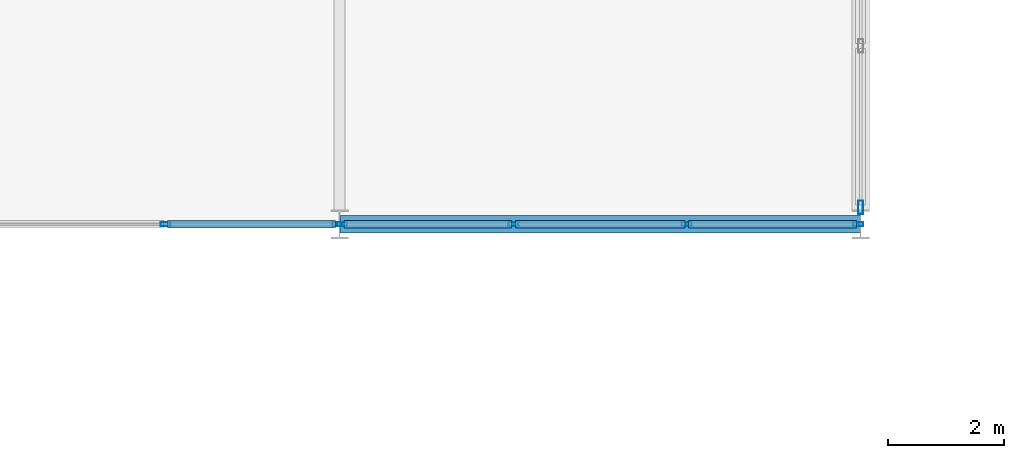
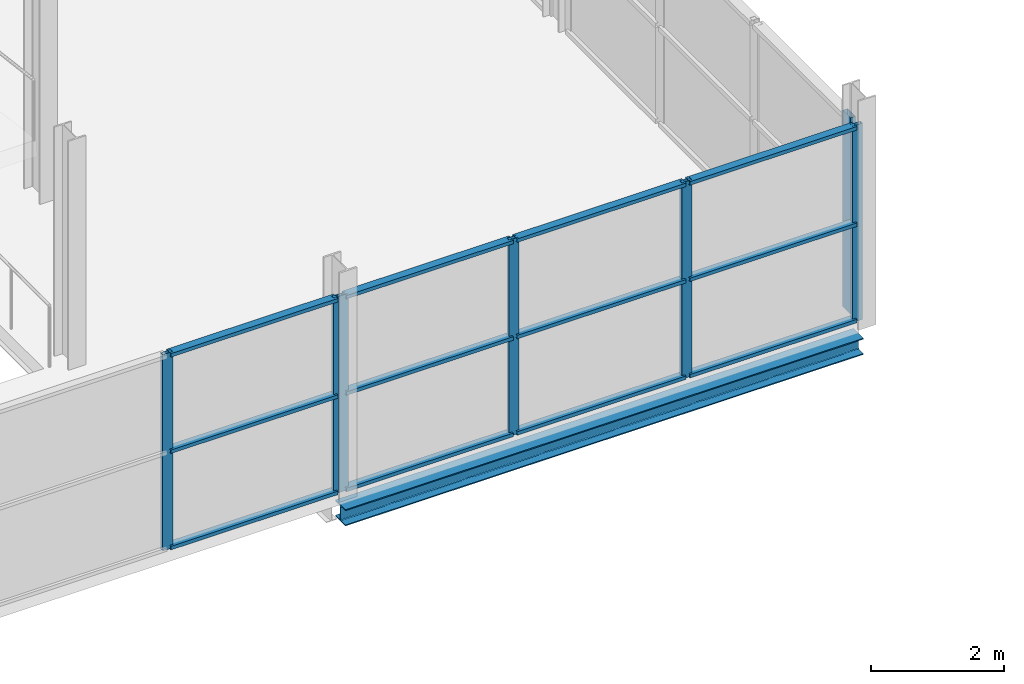
# One storey, part 59 of 132: 19 members, 1 beam, 3 elements without a shape of their own.
"""IFC4 building model written with IfcOpenShell, lengths in metres."""

from ifc_helpers import new_model, si_unit, direction, frame, origin, origin_2d, place, context, subcontext, project, spatial, hollow_rectangle, i_section, extrude, material, layer, layer_set, material_profile, profile_set, type_object, element, aggregate, save


model = new_model("IFC4")

# Units and contexts
model_context = context("Model", 3, precision=1e-05, world=origin(), true_north=direction((0.0, 1.0)))
body_context = subcontext(model_context, "Body", "Model", "MODEL_VIEW")
ifc_project = project(units=[si_unit("LENGTHUNIT", "METRE"), si_unit("AREAUNIT", "SQUARE_METRE"), si_unit("VOLUMEUNIT", "CUBIC_METRE"), si_unit("PLANEANGLEUNIT", "RADIAN"), si_unit("MASSUNIT", "GRAM", prefix="KILO")], contexts=[model_context])

# Site, building, storey
site_placement = place(None, origin())
site = spatial("IfcSite", under=ifc_project, at=site_placement, CompositionType="ELEMENT")
building_placement = place(site_placement, origin())
building = spatial("IfcBuilding", under=site, at=building_placement, Name="Deido Ridge Mobility Hub", CompositionType="ELEMENT")
storey_placement = place(building_placement, frame((0.0, 0.0, 8.39990234375)))
storey = spatial("IfcBuildingStorey", under=building, at=storey_placement, Name="L02", CompositionType="ELEMENT", Elevation=8.39990234375)

# Curtain wall, members
ifc_material_1 = material(Name="Anodised aluminium EN AW-6063 T6", Category="aluminium")
ifc_layer_1 = layer(ifc_material_1, 0.16796875, Name="Anodised aluminium EN AW-6063 T6")
ifc_layer_set_1 = layer_set([ifc_layer_1], Name="Anodised aluminium EN AW-6063 T6")
curtain_wall_type_1 = type_object("IfcCurtainWallType", Name="CW-GS-4", PredefinedType="USERDEFINED", material=ifc_layer_set_1)
curtain_wall_1_placement = place(storey_placement, origin())
curtain_wall_1 = element("IfcCurtainWall", 1, at=curtain_wall_1_placement, inside=storey, type_object=curtain_wall_type_1, Name="Unitised curtain wall GS4", ObjectType="GLAZED SCREEN", PredefinedType="USERDEFINED")
ifc_material_profile_1 = material_profile(ifc_material_1, hollow_rectangle(XDim=0.06494140625, YDim=0.175048828125, WallThickness=0.00390625, at=origin_2d()), Name="RHS 65x175x4")
ifc_profile_set_1 = profile_set([ifc_material_profile_1], Name="Anodised aluminium EN AW-6063 T6")
member_type_1 = type_object("IfcMemberType", Name="MEM-MUL-65X175", PredefinedType="MULLION", material=ifc_profile_set_1)
member_1_placement = place(storey_placement, frame((95.9951171875, 45.0, 0.0), z_axis=(0.0, 0.0, 1.0), x_axis=(0.0, 1.0, 0.0)))
member_1 = element("IfcMember", 2, at=member_1_placement, type_object=member_type_1, Name="GS4 mullion 6", PredefinedType="MULLION", context=body_context, shape_type="SweptSolid", body=[
    extrude(hollow_rectangle(XDim=0.06494140625, YDim=0.175048828125, WallThickness=0.00390625, at=origin_2d()), origin(), (0.0, 0.0, 1.0), 3.60009765625),
])
member_2_placement = place(storey_placement, frame((98.960205078125, 45.0, 0.0), z_axis=(0.0, 0.0, 1.0), x_axis=(0.0, 1.0, 0.0)))
member_2 = element("IfcMember", 3, at=member_2_placement, type_object=member_type_1, Name="GS4 mullion 7", PredefinedType="MULLION", context=body_context, shape_type="SweptSolid", body=[
    extrude(hollow_rectangle(XDim=0.06494140625, YDim=0.175048828125, WallThickness=0.00390625, at=origin_2d()), origin(), (0.0, 0.0, 1.0), 3.60009765625),
])

curtain_wall_2_placement = place(storey_placement, origin())
curtain_wall_2 = element("IfcCurtainWall", 4, at=curtain_wall_2_placement, inside=storey, type_object=curtain_wall_type_1, Name="Unitised curtain wall GS4", ObjectType="GLAZED SCREEN", PredefinedType="USERDEFINED")
member_3_placement = place(storey_placement, frame((99.039794921875, 45.0, 0.0), z_axis=(0.0, 0.0, 1.0), x_axis=(0.0, 1.0, 0.0)))
member_3 = element("IfcMember", 5, at=member_3_placement, type_object=member_type_1, Name="GS4 mullion 1", PredefinedType="MULLION", context=body_context, shape_type="SweptSolid", body=[
    extrude(hollow_rectangle(XDim=0.06494140625, YDim=0.175048828125, WallThickness=0.00390625, at=origin_2d()), origin(), (0.0, 0.0, 1.0), 3.60009765625),
])
member_4_placement = place(storey_placement, frame((102.00244140625, 45.0, 0.0), z_axis=(0.0, 0.0, 1.0), x_axis=(0.0, 1.0, 0.0)))
member_4 = element("IfcMember", 6, at=member_4_placement, type_object=member_type_1, Name="GS4 mullion 2", PredefinedType="MULLION", context=body_context, shape_type="SweptSolid", body=[
    extrude(hollow_rectangle(XDim=0.06494140625, YDim=0.175048828125, WallThickness=0.00390625, at=origin_2d()), origin(), (0.0, 0.0, 1.0), 3.60009765625),
])
member_5_placement = place(storey_placement, frame((104.99755859375, 45.0, 0.0), z_axis=(0.0, 0.0, 1.0), x_axis=(0.0, 1.0, 0.0)))
member_5 = element("IfcMember", 7, at=member_5_placement, type_object=member_type_1, Name="GS4 mullion 3", PredefinedType="MULLION", context=body_context, shape_type="SweptSolid", body=[
    extrude(hollow_rectangle(XDim=0.06494140625, YDim=0.175048828125, WallThickness=0.00390625, at=origin_2d()), origin(), (0.0, 0.0, 1.0), 3.60009765625),
])
member_6_placement = place(storey_placement, frame((107.960205078125, 45.0, 0.0), z_axis=(0.0, 0.0, 1.0), x_axis=(0.0, 1.0, 0.0)))
member_6 = element("IfcMember", 8, at=member_6_placement, type_object=member_type_1, Name="GS4 mullion 4", PredefinedType="MULLION", context=body_context, shape_type="SweptSolid", body=[
    extrude(hollow_rectangle(XDim=0.06494140625, YDim=0.175048828125, WallThickness=0.00390625, at=origin_2d()), origin(), (0.0, 0.0, 1.0), 3.60009765625),
])

# Curtain wall, member
ifc_layer_2 = layer(ifc_material_1, 0.239990234375, Name="Anodised aluminium EN AW-6063 T6")
ifc_layer_set_2 = layer_set([ifc_layer_2], Name="Anodised aluminium EN AW-6063 T6")
curtain_wall_type_2 = type_object("IfcCurtainWallType", Name="CW-UF-6", PredefinedType="USERDEFINED", material=ifc_layer_set_2)
curtain_wall_3_placement = place(storey_placement, origin())
curtain_wall_3 = element("IfcCurtainWall", 9, at=curtain_wall_3_placement, inside=storey, type_object=curtain_wall_type_2, Name="Unitised curtain wall CW6", ObjectType="UNITISED FACADE", PredefinedType="USERDEFINED")
ifc_material_profile_2 = material_profile(ifc_material_1, hollow_rectangle(XDim=0.0849609375, YDim=0.235107421875, WallThickness=0.00390625, at=origin_2d()), Name="RHS 85x235x4")
ifc_profile_set_2 = profile_set([ifc_material_profile_2], Name="Anodised aluminium EN AW-6063 T6")
member_type_2 = type_object("IfcMemberType", Name="MEM-MUL-85X235", PredefinedType="MULLION", material=ifc_profile_set_2)
member_7_placement = place(storey_placement, frame((108.0, 45.29248046875, 0.0), z_axis=(0.0, 0.0, 1.0), x_axis=(-1.0, 0.0, 0.0)))
member_7 = element("IfcMember", 10, at=member_7_placement, type_object=member_type_2, Name="CW6 mullion 1", PredefinedType="MULLION", context=body_context, shape_type="SweptSolid", body=[
    extrude(hollow_rectangle(XDim=0.0849609375, YDim=0.235107421875, WallThickness=0.00390625, at=origin_2d()), origin(), (0.0, 0.0, 1.0), 3.60009765625),
])
aggregate(curtain_wall_3, [member_7])

# Member
ifc_material_profile_3 = material_profile(ifc_material_1, hollow_rectangle(XDim=0.135009765625, YDim=0.06494140625, WallThickness=0.00390625, at=origin_2d()), Name="RHS 135x65x4")
ifc_profile_set_3 = profile_set([ifc_material_profile_3], Name="Anodised aluminium EN AW-6063 T6")
member_type_3 = type_object("IfcMemberType", Name="MEM-TRN-135X65", PredefinedType="USERDEFINED", material=ifc_profile_set_3)
member_8_placement = place(storey_placement, frame((96.027587890625, 45.0, 0.03271484375), z_axis=(1.0, 0.0, 0.0), x_axis=(0.0, 1.0, 0.0)))
member_8 = element("IfcMember", 11, at=member_8_placement, type_object=member_type_3, Name="GS4 transom 6.1", ObjectType="TRANSOM", PredefinedType="USERDEFINED", context=body_context, shape_type="SweptSolid", body=[
    extrude(hollow_rectangle(XDim=0.135009765625, YDim=0.06494140625, WallThickness=0.00390625, at=origin_2d()), origin(), (0.0, 0.0, 1.0), 2.900146484375),
])

member_9_placement = place(storey_placement, frame((96.027587890625, 45.0, 1.800048828125), z_axis=(1.0, 0.0, 0.0), x_axis=(0.0, 1.0, 0.0)))
member_9 = element("IfcMember", 12, at=member_9_placement, type_object=member_type_3, Name="GS4 transom 6.2", ObjectType="TRANSOM", PredefinedType="USERDEFINED", context=body_context, shape_type="SweptSolid", body=[
    extrude(hollow_rectangle(XDim=0.135009765625, YDim=0.06494140625, WallThickness=0.00390625, at=origin_2d()), origin(), (0.0, 0.0, 1.0), 2.900146484375),
])

member_10_placement = place(storey_placement, frame((96.027587890625, 45.0, 3.567626953125), z_axis=(1.0, 0.0, 0.0), x_axis=(0.0, 1.0, 0.0)))
member_10 = element("IfcMember", 13, at=member_10_placement, type_object=member_type_3, Name="GS4 transom 6.3", ObjectType="TRANSOM", PredefinedType="USERDEFINED", context=body_context, shape_type="SweptSolid", body=[
    extrude(hollow_rectangle(XDim=0.135009765625, YDim=0.06494140625, WallThickness=0.00390625, at=origin_2d()), origin(), (0.0, 0.0, 1.0), 2.900146484375),
])

aggregate(curtain_wall_1, [member_1, member_2, member_8, member_9, member_10])

member_11_placement = place(storey_placement, frame((99.072265625, 45.0, 0.03271484375), z_axis=(1.0, 0.0, 0.0), x_axis=(0.0, 1.0, 0.0)))
member_11 = element("IfcMember", 14, at=member_11_placement, type_object=member_type_3, Name="GS4 transom 1.1", ObjectType="TRANSOM", PredefinedType="USERDEFINED", context=body_context, shape_type="SweptSolid", body=[
    extrude(hollow_rectangle(XDim=0.135009765625, YDim=0.06494140625, WallThickness=0.00390625, at=origin_2d()), origin(), (0.0, 0.0, 1.0), 2.897705078125),
])

member_12_placement = place(storey_placement, frame((99.072265625, 45.0, 1.800048828125), z_axis=(1.0, 0.0, 0.0), x_axis=(0.0, 1.0, 0.0)))
member_12 = element("IfcMember", 15, at=member_12_placement, type_object=member_type_3, Name="GS4 transom 1.2", ObjectType="TRANSOM", PredefinedType="USERDEFINED", context=body_context, shape_type="SweptSolid", body=[
    extrude(hollow_rectangle(XDim=0.135009765625, YDim=0.06494140625, WallThickness=0.00390625, at=origin_2d()), origin(), (0.0, 0.0, 1.0), 2.897705078125),
])

member_13_placement = place(storey_placement, frame((99.072265625, 45.0, 3.567626953125), z_axis=(1.0, 0.0, 0.0), x_axis=(0.0, 1.0, 0.0)))
member_13 = element("IfcMember", 16, at=member_13_placement, type_object=member_type_3, Name="GS4 transom 1.3", ObjectType="TRANSOM", PredefinedType="USERDEFINED", context=body_context, shape_type="SweptSolid", body=[
    extrude(hollow_rectangle(XDim=0.135009765625, YDim=0.06494140625, WallThickness=0.00390625, at=origin_2d()), origin(), (0.0, 0.0, 1.0), 2.897705078125),
])

member_14_placement = place(storey_placement, frame((102.034912109375, 45.0, 0.03271484375), z_axis=(1.0, 0.0, 0.0), x_axis=(0.0, 1.0, 0.0)))
member_14 = element("IfcMember", 17, at=member_14_placement, type_object=member_type_3, Name="GS4 transom 2.1", ObjectType="TRANSOM", PredefinedType="USERDEFINED", context=body_context, shape_type="SweptSolid", body=[
    extrude(hollow_rectangle(XDim=0.135009765625, YDim=0.06494140625, WallThickness=0.00390625, at=origin_2d()), origin(), (0.0, 0.0, 1.0), 2.93017578125),
])

member_15_placement = place(storey_placement, frame((102.034912109375, 45.0, 1.800048828125), z_axis=(1.0, 0.0, 0.0), x_axis=(0.0, 1.0, 0.0)))
member_15 = element("IfcMember", 18, at=member_15_placement, type_object=member_type_3, Name="GS4 transom 2.2", ObjectType="TRANSOM", PredefinedType="USERDEFINED", context=body_context, shape_type="SweptSolid", body=[
    extrude(hollow_rectangle(XDim=0.135009765625, YDim=0.06494140625, WallThickness=0.00390625, at=origin_2d()), origin(), (0.0, 0.0, 1.0), 2.93017578125),
])

member_16_placement = place(storey_placement, frame((102.034912109375, 45.0, 3.567626953125), z_axis=(1.0, 0.0, 0.0), x_axis=(0.0, 1.0, 0.0)))
member_16 = element("IfcMember", 19, at=member_16_placement, type_object=member_type_3, Name="GS4 transom 2.3", ObjectType="TRANSOM", PredefinedType="USERDEFINED", context=body_context, shape_type="SweptSolid", body=[
    extrude(hollow_rectangle(XDim=0.135009765625, YDim=0.06494140625, WallThickness=0.00390625, at=origin_2d()), origin(), (0.0, 0.0, 1.0), 2.93017578125),
])

member_17_placement = place(storey_placement, frame((105.030029296875, 45.0, 0.03271484375), z_axis=(1.0, 0.0, 0.0), x_axis=(0.0, 1.0, 0.0)))
member_17 = element("IfcMember", 20, at=member_17_placement, type_object=member_type_3, Name="GS4 transom 3.1", ObjectType="TRANSOM", PredefinedType="USERDEFINED", context=body_context, shape_type="SweptSolid", body=[
    extrude(hollow_rectangle(XDim=0.135009765625, YDim=0.06494140625, WallThickness=0.00390625, at=origin_2d()), origin(), (0.0, 0.0, 1.0), 2.897705078125),
])

member_18_placement = place(storey_placement, frame((105.030029296875, 45.0, 1.800048828125), z_axis=(1.0, 0.0, 0.0), x_axis=(0.0, 1.0, 0.0)))
member_18 = element("IfcMember", 21, at=member_18_placement, type_object=member_type_3, Name="GS4 transom 3.2", ObjectType="TRANSOM", PredefinedType="USERDEFINED", context=body_context, shape_type="SweptSolid", body=[
    extrude(hollow_rectangle(XDim=0.135009765625, YDim=0.06494140625, WallThickness=0.00390625, at=origin_2d()), origin(), (0.0, 0.0, 1.0), 2.897705078125),
])

member_19_placement = place(storey_placement, frame((105.030029296875, 45.0, 3.567626953125), z_axis=(1.0, 0.0, 0.0), x_axis=(0.0, 1.0, 0.0)))
member_19 = element("IfcMember", 22, at=member_19_placement, type_object=member_type_3, Name="GS4 transom 3.3", ObjectType="TRANSOM", PredefinedType="USERDEFINED", context=body_context, shape_type="SweptSolid", body=[
    extrude(hollow_rectangle(XDim=0.135009765625, YDim=0.06494140625, WallThickness=0.00390625, at=origin_2d()), origin(), (0.0, 0.0, 1.0), 2.897705078125),
])

aggregate(curtain_wall_2, [member_3, member_4, member_5, member_6, member_11, member_12, member_13, member_14, member_15, member_16, member_17, member_18, member_19])

# Beam
ifc_material_2 = material(Name="Steel S355J2 EN 10025-2", Category="steel")
ifc_material_profile_4 = material_profile(ifc_material_2, i_section(OverallWidth=0.300048828125, OverallDepth=0.300048828125, WebThickness=0.010986328125, FlangeThickness=0.01904296875, FilletRadius=0.027099609375, at=origin_2d()), Name="HEB 300")
ifc_profile_set_4 = profile_set([ifc_material_profile_4], Name="Steel S355J2 EN 10025-2")
beam_type = type_object("IfcBeamType", Name="SPD-HEB300", PredefinedType="SPANDREL", material=ifc_profile_set_4)
beam_placement = place(storey_placement, frame((99.007080078125, 45.0, -0.40478515625), z_axis=(1.0, 0.0, 0.0), x_axis=(0.0, 1.0, 0.0)))
element("IfcBeam", 23, at=beam_placement, inside=storey, type_object=beam_type, Name="Floor beam SP1", PredefinedType="SPANDREL", context=body_context, shape_type="SweptSolid", body=[
    extrude(i_section(OverallWidth=0.300048828125, OverallDepth=0.300048828125, WebThickness=0.010986328125, FlangeThickness=0.01904296875, FilletRadius=0.027099609375, at=origin_2d()), origin(), (0.0, 0.0, 1.0), 8.98583984375),
])

save(model, "model.ifc")
